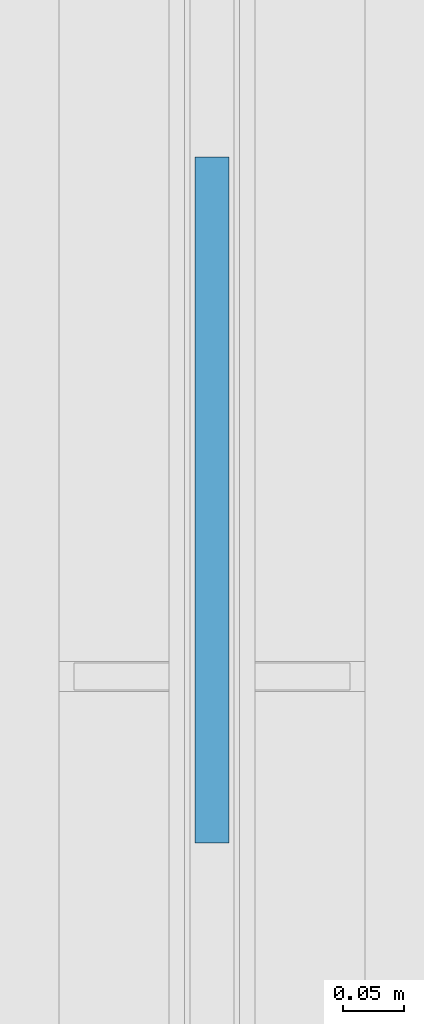
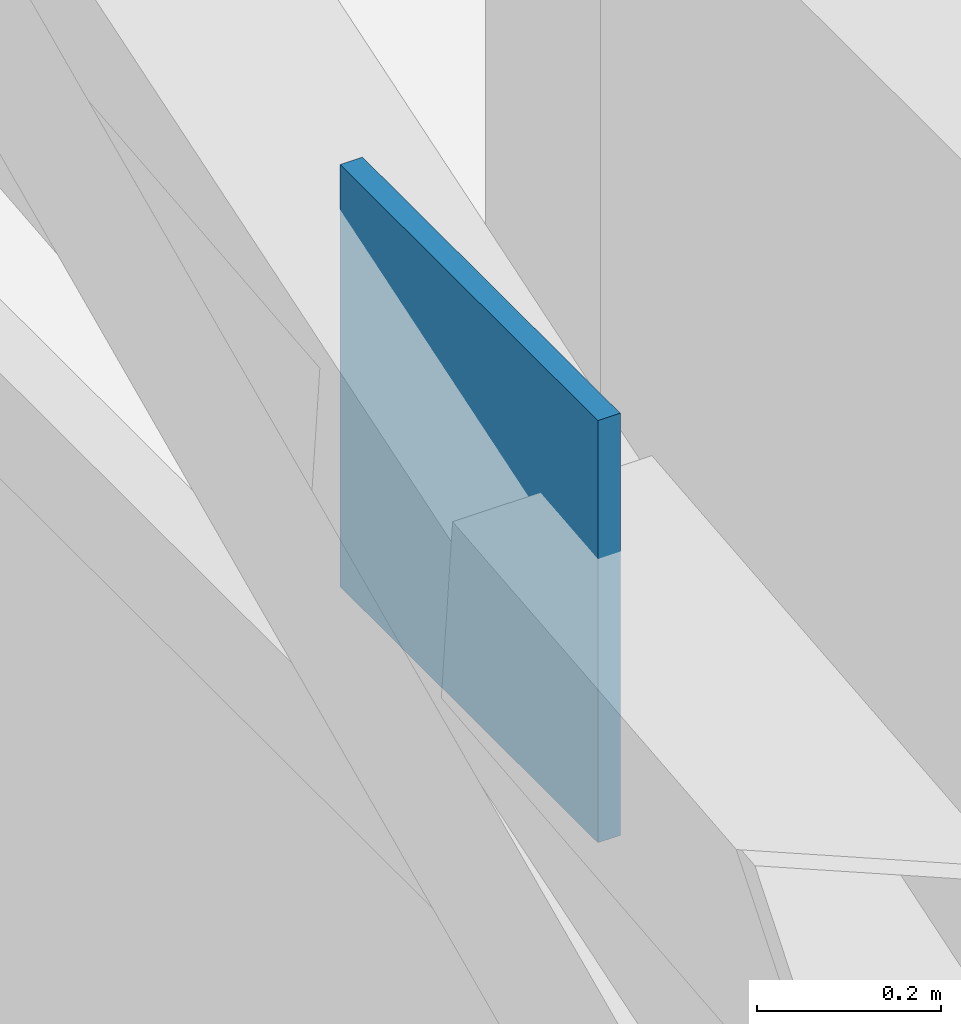
# One storey, part 137 of 220: 1 plate.
"""IFC4 building model written with IfcOpenShell, lengths in metres."""

from ifc_helpers import new_model, si_unit, direction, frame, origin, origin_2d, place, context, subcontext, project, spatial, rectangle, extrude, material, layer, layer_set, type_object, element, save


model = new_model("IFC4")

# Units and contexts
model_context = context("Model", 3, precision=1e-05, world=origin(), true_north=direction((0.0, 1.0)))
body_context = subcontext(model_context, "Body", "Model", "MODEL_VIEW")
ifc_project = project(units=[si_unit("LENGTHUNIT", "METRE"), si_unit("AREAUNIT", "SQUARE_METRE"), si_unit("VOLUMEUNIT", "CUBIC_METRE"), si_unit("PLANEANGLEUNIT", "RADIAN"), si_unit("MASSUNIT", "GRAM", prefix="KILO")], contexts=[model_context])

# Site, building, storey
site_placement = place(None, origin())
site = spatial("IfcSite", under=ifc_project, at=site_placement, CompositionType="ELEMENT")
building_placement = place(site_placement, origin())
building = spatial("IfcBuilding", under=site, at=building_placement, Name="Cendralis Lancet Convention Centre", CompositionType="ELEMENT")
storey_placement = place(building_placement, frame((0.0, 0.0, 5.39990234375)))
storey = spatial("IfcBuildingStorey", under=building, at=storey_placement, Name="L01", CompositionType="ELEMENT", Elevation=5.39990234375)

# Plate
ifc_material = material(Name="Steel S355", Category="steel")
ifc_layer = layer(ifc_material, 0.028076171875, Name="Steel S355")
ifc_layer_set = layer_set([ifc_layer], Name="Steel S355")
plate_type = type_object("IfcPlateType", Name="STR-PL-GP28B", PredefinedType="USERDEFINED", material=ifc_layer_set)
plate_placement = place(storey_placement, frame((0.0, 53.07861328125, 6.9853515625), z_axis=(0.0, 0.0, 1.0), x_axis=(0.0, 1.0, 0.0)))
element("IfcPlate", 1, at=plate_placement, inside=storey, type_object=plate_type, Name="Gable X-Brace Crossing Gusset Node Plate GP-28B 0-50", ObjectType="GUSSET PLATE", PredefinedType="USERDEFINED", context=body_context, shape_type="SweptSolid", body=[
    extrude(rectangle(XDim=0.56005859375, YDim=0.028076171875, at=origin_2d()), origin(), (0.0, 0.0, 1.0), 0.56005859375),
])

save(model, "model.ifc")
